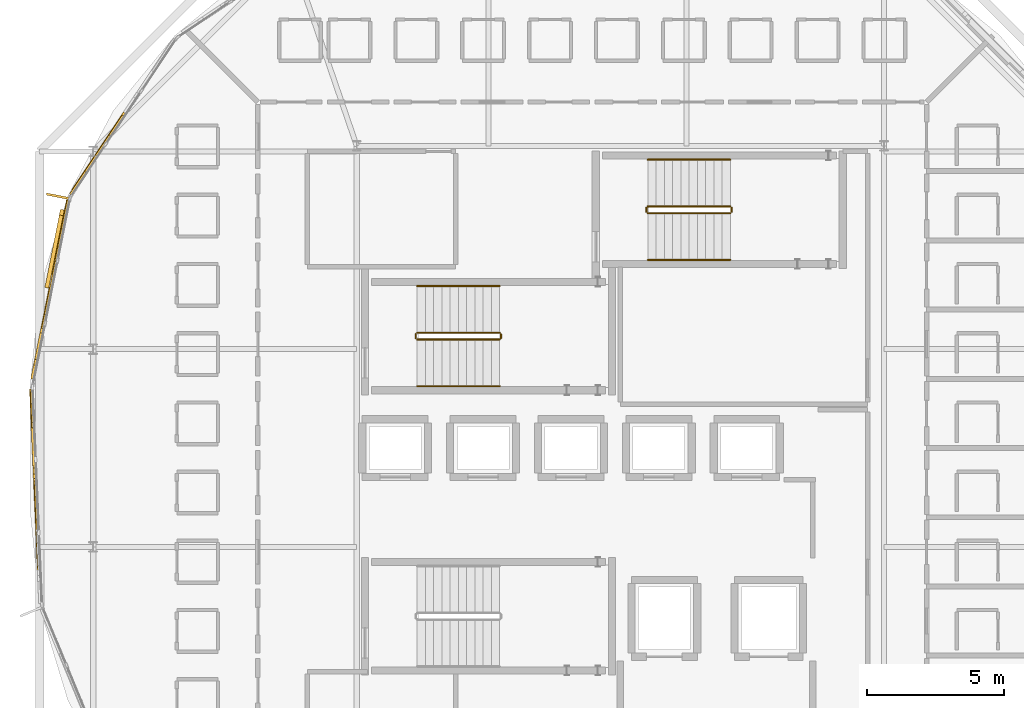
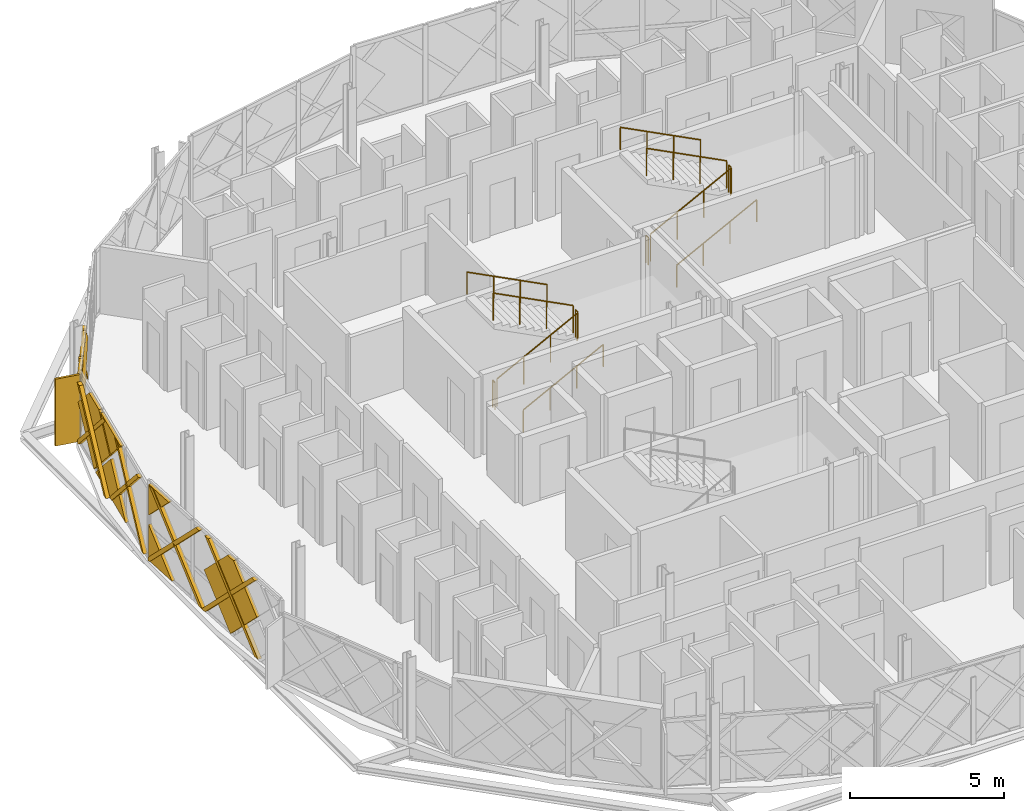
# One storey, part 22 of 24: 19 coverings, 12 railings, 1 shading device.
"""IFC4 building model written with IfcOpenShell, lengths in metres."""

from ifc_helpers import new_model, si_unit, direction, frame, origin, origin_2d, place, context, subcontext, project, spatial, polyline, rectangle, circle, outline, extrude, material, layer, layer_set, type_object, element, save


model = new_model("IFC4")

# Units and contexts
model_context = context("Model", 3, precision=1e-05, world=origin(), true_north=direction((0.0, 1.0)))
body_context = subcontext(model_context, "Body", "Model", "MODEL_VIEW")
ifc_project = project(units=[si_unit("LENGTHUNIT", "METRE"), si_unit("AREAUNIT", "SQUARE_METRE"), si_unit("VOLUMEUNIT", "CUBIC_METRE"), si_unit("PLANEANGLEUNIT", "RADIAN"), si_unit("MASSUNIT", "GRAM", prefix="KILO")], contexts=[model_context])

# Site, building, storey
site_placement = place(None, origin())
site = spatial("IfcSite", under=ifc_project, at=site_placement, CompositionType="ELEMENT")
building_placement = place(site_placement, origin())
building = spatial("IfcBuilding", under=site, at=building_placement, Name="Zevrakil Square Congress Hotel", CompositionType="ELEMENT")
storey_placement = place(building_placement, frame((0.0, 0.0, 35.10009765625)))
storey = spatial("IfcBuildingStorey", under=building, at=storey_placement, Name="L10", CompositionType="ELEMENT", Elevation=35.10009765625)

# Coverings
ifc_material_1 = material(Name="Architectural White Fibre-C GRC", Category="concrete")
ifc_layer_1 = layer(ifc_material_1, 0.06494140625)
ifc_layer_set_1 = layer_set([ifc_layer_1], Name="Architectural White Fibre-C GRC")
covering_type_1 = type_object("IfcCoveringType", Name="COV-DIA-WHITE", PredefinedType="CLADDING", material=ifc_layer_set_1)
covering_1_placement = place(storey_placement, frame((126.4453125, 37.0078125, 1.58984375), z_axis=(-0.831447623969, 0.555602731001, 0.000673721468), x_axis=(-0.393394347416, -0.587849085987, -0.706876466949)))
element("IfcCovering", 1, at=covering_1_placement, inside=storey, type_object=covering_type_1, Name="L10 45-degree white GRC diamond facade cassette 3168", PredefinedType="CLADDING", context=body_context, shape_type="SweptSolid", body=[
    extrude(outline(polyline([(0.0, 0.0), (0.2624884145950931, 2.7755575615628914e-17), (1.198721158263602, -0.9368409539727901), (-0.000726414551789567, -2.1355081109127454), (0.0, 0.0)])), origin(), (0.0, 0.0, -1.0), 0.1201171875),
])
covering_2_placement = place(storey_placement, frame((126.495361328125, 37.082763671875, 1.679931640625), z_axis=(-0.831479582102, 0.555555011025, 0.000578162904), x_axis=(0.39248044222, 0.588147541649, -0.707136176226)))
element("IfcCovering", 2, at=covering_2_placement, inside=storey, type_object=covering_type_1, Name="L10 45-degree white GRC diamond facade cassette 3169", PredefinedType="CLADDING", context=body_context, shape_type="SweptSolid", body=[
    extrude(outline(polyline([(0.0, 0.0), (2.248630358275288, 0.0), (2.2484439345611733, -2.248631622571356), (0.9899569611155397, -2.24859053439718), (3.260381687220093e-05, -1.2585834955326278), (0.0, 0.0)])), origin(), (0.0, 0.0, -1.0), 0.1201171875),
])
covering_3_placement = place(storey_placement, frame((126.4453125, 37.0078125, 1.77001953125), z_axis=(-0.831393739094, 0.555683517331, 0.000528358459), x_axis=(0.393258657054, 0.587707190793, 0.707069930447)))
element("IfcCovering", 3, at=covering_3_placement, inside=storey, type_object=covering_type_1, Name="L10 45-degree white GRC diamond facade cassette 3170", PredefinedType="CLADDING", context=body_context, shape_type="SweptSolid", body=[
    extrude(outline(polyline([(0.0, 0.0), (1.1311535756411146, 1.1102230246251565e-16), (0.43427259417798203, -0.6968085565260662), (-3.1617964112162777e-06, -0.2623924576061315), (0.0, 0.0)])), origin(), (0.0, 0.0, -1.0), 0.1201171875),
])
covering_4_placement = place(storey_placement, frame((125.616943359375, 33.44091796875, 1.58984375), z_axis=(-0.980788280172, 0.195074358725, 0.000586553491), x_axis=(-0.138339886369, -0.693414389116, -0.707134047268)))
element("IfcCovering", 4, at=covering_4_placement, inside=storey, type_object=covering_type_1, Name="L10 45-degree white GRC diamond facade cassette 3175", PredefinedType="CLADDING", context=body_context, shape_type="SweptSolid", body=[
    extrude(outline(polyline([(0.0, 0.0), (2.135393948938125, -2.220446049250313e-16), (6.252448376709019e-05, -2.1354968457710672), (0.0, 0.0)])), origin(), (0.0, 0.0, -1.0), 0.1201171875),
])
covering_5_placement = place(storey_placement, frame((125.634521484375, 33.529296875, 1.679931640625), z_axis=(-0.980788237552, 0.195074511268, 0.000606739131), x_axis=(0.137511745949, 0.693575751947, -0.707137324737)))
element("IfcCovering", 5, at=covering_5_placement, inside=storey, type_object=covering_type_1, Name="L10 45-degree white GRC diamond facade cassette 3176", PredefinedType="CLADDING", context=body_context, shape_type="SweptSolid", body=[
    extrude(outline(polyline([(0.0, 0.0), (2.2486266312430545, 0.0), (2.2485344442996014, -2.234572991459258), (2.234377886528978, -2.248728321056835), (0.7070192893966979, -2.248764939670682), (-0.00017291185751733273, -1.541511413023185), (0.0, 0.0)])), origin(), (0.0, 0.0, -1.0), 0.1201171875),
])
covering_6_placement = place(storey_placement, frame((125.6171875, 33.44091796875, 1.77001953125), z_axis=(-0.980786615214, 0.195083023539, 0.000478899714), x_axis=(0.13827803792, 0.693461770691, 0.70709967955)))
element("IfcCovering", 6, at=covering_6_placement, inside=storey, type_object=covering_type_1, Name="L10 45-degree white GRC diamond facade cassette 3177", PredefinedType="CLADDING", context=body_context, shape_type="SweptSolid", body=[
    extrude(outline(polyline([(0.0, 0.0), (1.4142277657897184, 1.1102230246251565e-16), (0.00010663045580761032, -1.4140930553790017), (0.0, 0.0)])), origin(), (0.0, 0.0, -1.0), 0.1201171875),
])
covering_7_placement = place(storey_placement, frame((124.96826171875, 28.334228515625, 0.079833984375), z_axis=(-0.999070019544, -0.043114113495, 0.000518907559), x_axis=(-0.0431141193, 0.999070154052, 0.0)))
element("IfcCovering", 7, at=covering_7_placement, inside=storey, type_object=covering_type_1, Name="L10 45-degree white GRC diamond facade cassette 3182", PredefinedType="CLADDING", context=body_context, shape_type="SweptSolid", body=[
    extrude(outline(polyline([(0.0, 0.0), (1.410002491353587, 0.0), (1.4099709136294905, -1.410156439852938), (0.0, 0.0)])), origin(), (0.0, 0.0, -1.0), 0.1201171875),
])
covering_8_placement = place(storey_placement, frame((125.18994140625, 23.218994140625, 1.679931640625), z_axis=(-0.999069236297, -0.043131058827, 0.000610613173), x_axis=(-0.030930181067, 0.706442929701, -0.707093848774)))
element("IfcCovering", 8, at=covering_8_placement, inside=storey, type_object=covering_type_1, Name="L10 45-degree white GRC diamond facade cassette 3184", PredefinedType="CLADDING", context=body_context, shape_type="SweptSolid", body=[
    extrude(outline(polyline([(0.0, 0.0), (2.2487650103116055, 0.0), (2.248786877170472, -2.2487054251349385), (0.26168571723237266, -2.2486521480379733), (7.315440598687495e-05, -1.9870489806895124), (0.0, 0.0)])), origin(), (0.0, 0.0, -1.0), 0.1201171875),
])
covering_9_placement = place(storey_placement, frame((124.908447265625, 29.742919921875, 1.869873046875), z_axis=(-0.999066180685, -0.043201775713, 0.000610890158), x_axis=(0.000602772633, 0.000200924211, 0.999999798147)))
element("IfcCovering", 9, at=covering_9_placement, inside=storey, type_object=covering_type_1, Name="L10 45-degree white GRC diamond facade cassette 3185", PredefinedType="CLADDING", context=body_context, shape_type="SweptSolid", body=[
    extrude(outline(polyline([(0.0, 0.0), (1.215088135893837, 2.710505431213761e-20), (1.2148758802637107, -1.2150015343782288), (0.0, 0.0)])), origin(), (0.0, 0.0, -1.0), 0.1201171875),
])
ifc_material_2 = material(Name="Anodised Champagne Aluminium", Category="aluminium")
ifc_layer_2 = layer(ifc_material_2, 0.0849609375)
ifc_layer_set_2 = layer_set([ifc_layer_2], Name="Anodised Champagne Aluminium")
covering_type_2 = type_object("IfcCoveringType", Name="COV-DIAGRID-45", PredefinedType="MOLDING", material=ifc_layer_set_2)
covering_10_placement = place(storey_placement, frame((128.18701171875, 39.661376953125, 0.079833984375), z_axis=(-0.831341232466, 0.55576168205, 0.000841407264), x_axis=(0.555761878969, 0.831341526621, 2.69162e-07)))
element("IfcCovering", 10, at=covering_10_placement, inside=storey, type_object=covering_type_2, Name="L10 45-degree aluminium diagrid rib 3172", PredefinedType="MOLDING", context=body_context, shape_type="SweptSolid", body=[
    extrude(outline(polyline([(0.0, 0.0), (0.21207557855529613, 0.0), (-2.2777768193900743, -2.489991728881895), (-2.490055362185268, -2.489991843102073), (0.0, 0.0)])), origin(), (0.0, 0.0, -1.0), 0.14501953125),
])
covering_11_placement = place(storey_placement, frame((127.91162109375, 39.24658203125, 2.56982421875), z_axis=(-0.83151892572, 0.555496045813, 0.0006474995), x_axis=(-0.55549616226, -0.83151910003, 0.0)))
element("IfcCovering", 11, at=covering_11_placement, inside=storey, type_object=covering_type_2, Name="L10 45-degree aluminium diagrid rib 3174", PredefinedType="MOLDING", context=body_context, shape_type="SweptSolid", body=[
    extrude(outline(polyline([(0.0, 0.0), (0.21227855363602155, -1.3552527156068805e-20), (2.7022702887750105, -2.489990756346342), (2.4899917351389886, -2.489990756346342), (0.0, 0.0)])), origin(), (0.0, 0.0, -1.0), 0.14501953125),
])
covering_12_placement = place(storey_placement, frame((126.210693359375, 36.55908203125, 0.079833984375), z_axis=(-0.980720729168, 0.195412287619, 0.000942988478), x_axis=(0.195412375128, 0.980721165085, 6.76732e-07)))
element("IfcCovering", 12, at=covering_12_placement, inside=storey, type_object=covering_type_2, Name="L10 45-degree aluminium diagrid rib 3178", PredefinedType="MOLDING", context=body_context, shape_type="SweptSolid", body=[
    extrude(outline(polyline([(0.0, 0.0), (0.08589654683551741, 0.0), (0.0858966322531195, -0.12622064700551305), (-2.477929950880439, -2.690188459451014), (-2.6900379919996973, -2.690188549751455), (0.0, 0.0)])), origin(), (0.0, 0.0, -1.0), 0.14501953125),
])
covering_13_placement = place(storey_placement, frame((125.555419921875, 33.263671875, 0.079833984375), z_axis=(-0.980779233568, 0.195119812312, 0.000594849289), x_axis=(0.195119846637, 0.980779407129, -3.35837e-07)))
element("IfcCovering", 13, at=covering_13_placement, inside=storey, type_object=covering_type_2, Name="L10 45-degree aluminium diagrid rib 3179", PredefinedType="MOLDING", context=body_context, shape_type="SweptSolid", body=[
    extrude(outline(polyline([(0.0, 0.0), (0.21206037816297113, 0.0), (-2.4779809705143876, -2.6901851906323304), (-2.6900889853586665, -2.690185048180802), (0.0, 0.0)])), origin(), (0.0, 0.0, -1.0), 0.14501953125),
])
covering_14_placement = place(storey_placement, frame((126.154296875, 36.2666015625, 2.77001953125), z_axis=(0.980669115703, -0.195673415105, 1.1281438e-05), x_axis=(-0.195673415118, -0.980669115765, 0.0)))
element("IfcCovering", 14, at=covering_14_placement, inside=storey, type_object=covering_type_2, Name="L10 45-degree aluminium diagrid rib 3180", PredefinedType="MOLDING", context=body_context, shape_type="SweptSolid", body=[
    extrude(outline(polyline([(0.0, 0.0), (0.21210804863334146, -5.293955920339377e-23), (2.902289285927077, 2.690185547046191), (2.6901812372937357, 2.690185547046191), (0.0, 0.0)])), origin(), (0.0, 0.0, -1.0), 0.14501953125),
])
covering_15_placement = place(storey_placement, frame((125.498779296875, 32.97119140625, 2.77001953125), z_axis=(-0.980779231918, 0.195119811984, 0.000597669964), x_axis=(-0.195119846635, -0.980779407129, 3.3743e-07)))
element("IfcCovering", 15, at=covering_15_placement, inside=storey, type_object=covering_type_2, Name="L10 45-degree aluminium diagrid rib 3181", PredefinedType="MOLDING", context=body_context, shape_type="SweptSolid", body=[
    extrude(outline(polyline([(0.0, 0.0), (0.21206037816297124, -6.776263578034403e-21), (2.90228793297119, -2.6901870066731663), (2.6901799181269115, -2.6901868635461565), (0.0, 0.0)])), origin(), (0.0, 0.0, -1.0), 0.14501953125),
])
covering_16_placement = place(storey_placement, frame((124.88623046875, 29.656005859375, 0.079833984375), z_axis=(-0.999054281458, -0.043479903274, 0.000201772666), x_axis=(-0.043479904122, 0.999054301796, 1.82755e-07)))
element("IfcCovering", 16, at=covering_16_placement, inside=storey, type_object=covering_type_2, Name="L10 45-degree aluminium diagrid rib 3187", PredefinedType="MOLDING", context=body_context, shape_type="SweptSolid", body=[
    extrude(outline(polyline([(0.0, 0.0), (0.08601545722512088, -1.0587911840678754e-22), (0.08601548029255274, -0.12622070055563606), (-2.792951493594179, -3.0051275302256277), (-3.0050685273626714, -3.005127580001162), (0.0, 0.0)])), origin(), (0.0, 0.0, -1.0), 0.14501953125),
])
covering_17_placement = place(storey_placement, frame((125.031005859375, 26.299072265625, 0.079833984375), z_axis=(-0.999092088768, -0.042588026825, 0.001121665276), x_axis=(-0.042588053616, 0.999092717264, 0.0)))
element("IfcCovering", 17, at=covering_17_placement, inside=storey, type_object=covering_type_2, Name="L10 45-degree aluminium diagrid rib 3188", PredefinedType="MOLDING", context=body_context, shape_type="SweptSolid", body=[
    extrude(outline(polyline([(0.0, 0.0), (0.212106503068509, 0.0), (-2.7929607618328887, -3.005128843551466), (-3.0050672649013976, -3.005128843551466), (0.0, 0.0)])), origin(), (0.0, 0.0, -1.0), 0.14501953125),
])
covering_18_placement = place(storey_placement, frame((124.88720703125, 29.673095703125, 3.0849609375), z_axis=(-0.99904230841, -0.043736875253, 0.001245692395), x_axis=(0.043736909187, -0.999043083543, 0.0)))
element("IfcCovering", 18, at=covering_18_placement, inside=storey, type_object=covering_type_2, Name="L10 45-degree aluminium diagrid rib 3190", PredefinedType="MOLDING", context=body_context, shape_type="SweptSolid", body=[
    extrude(outline(polyline([(0.0, 0.0), (0.21211704078717858, -1.6940658945086007e-21), (3.2170260256091976, -3.005129284729901), (3.004908984822019, -3.005129284729901), (0.0, 0.0)])), origin(), (0.0, 0.0, -1.0), 0.14501953125),
])
covering_19_placement = place(storey_placement, frame((125.031982421875, 26.31640625, 3.0849609375), z_axis=(-0.999068952025, -0.043137692229, 0.000607130864), x_axis=(0.043137700382, -0.999069136149, 3.33614e-07)))
element("IfcCovering", 19, at=covering_19_placement, inside=storey, type_object=covering_type_2, Name="L10 45-degree aluminium diagrid rib 3191", PredefinedType="MOLDING", context=body_context, shape_type="SweptSolid", body=[
    extrude(outline(polyline([(0.0, 0.0), (0.21236091599806017, 0.0), (3.217270603026499, -3.0051285803092083), (3.005164132056889, -3.0051284387008628), (0.0, 0.0)])), origin(), (0.0, 0.0, -1.0), 0.14501953125),
])

# Railings
ifc_material_3 = material(Name="Steel S355", Category="steel")
railing_type_1 = type_object("IfcRailingType", Name="RLG-STAIR-GUARD-1100", PredefinedType="BALUSTRADE", material=ifc_material_3)
railing_1_placement = place(storey_placement, frame((139.0, 31.550048828125, 0.154541015625)))
element("IfcRailing", 20, at=railing_1_placement, inside=storey, type_object=railing_type_1, Name="L10 ST02 stair guard 1", PredefinedType="BALUSTRADE", context=body_context, shape_type="SweptSolid", body=[
    extrude(circle(Radius=0.02392578125, at=origin_2d()), frame((0.0, 0.0, 1.076171875), z_axis=(0.888979911393, 0.0, 0.45794619459), x_axis=(0.0, 1.0, 0.0)), (0.0, 0.0, 1.0), 3.374755859375),
    extrude(circle(Radius=0.02099609375, at=origin_2d()), origin(), (0.0, 0.0, 1.0), 1.052001953125),
    extrude(circle(Radius=0.02099609375, at=origin_2d()), frame((1.0, 0.0, 0.51513671875)), (0.0, 0.0, 1.0), 1.052001953125),
    extrude(circle(Radius=0.02099609375, at=origin_2d()), frame((2.0, 0.0, 1.0302734375)), (0.0, 0.0, 1.0), 1.052001953125),
    extrude(circle(Radius=0.02099609375, at=origin_2d()), frame((3.0, 0.0, 1.54541015625)), (0.0, 0.0, 1.0), 1.052001953125),
])
railing_2_placement = place(storey_placement, frame((142.050048828125, 31.60009765625, 1.699951171875)))
element("IfcRailing", 21, at=railing_2_placement, inside=storey, type_object=railing_type_1, Name="L10 ST02 stair guard 2", PredefinedType="BALUSTRADE", context=body_context, shape_type="SweptSolid", body=[
    extrude(circle(Radius=0.02392578125, at=origin_2d()), frame((0.0, 0.0, 1.076171875), z_axis=(0.0, 1.0, 0.0), x_axis=(-1.0, 0.0, 0.0)), (0.0, 0.0, 1.0), 0.14990234375),
    extrude(circle(Radius=0.02099609375, at=origin_2d()), origin(), (0.0, 0.0, 1.0), 1.052001953125),
    extrude(circle(Radius=0.02099609375, at=origin_2d()), frame((0.0, 0.14990234375, 0.0)), (0.0, 0.0, 1.0), 1.052001953125),
])
railing_3_placement = place(storey_placement, frame((142.0, 31.800048828125, 1.8544921875)))
element("IfcRailing", 22, at=railing_3_placement, inside=storey, type_object=railing_type_1, Name="L10 ST02 stair guard 3", PredefinedType="BALUSTRADE", context=body_context, shape_type="SweptSolid", body=[
    extrude(circle(Radius=0.02392578125, at=origin_2d()), frame((0.0, 0.0, 1.076171875), z_axis=(-0.888979911393, 0.0, 0.45794619459), x_axis=(0.0, -1.0, 0.0)), (0.0, 0.0, 1.0), 3.374755859375),
    extrude(circle(Radius=0.02099609375, at=origin_2d()), origin(), (0.0, 0.0, 1.0), 1.052001953125),
    extrude(circle(Radius=0.02099609375, at=origin_2d()), frame((-1.0, 0.0, 0.51513671875)), (0.0, 0.0, 1.0), 1.052001953125),
    extrude(circle(Radius=0.02099609375, at=origin_2d()), frame((-2.0, 0.0, 1.0302734375)), (0.0, 0.0, 1.0), 1.052001953125),
    extrude(circle(Radius=0.02099609375, at=origin_2d()), frame((-3.0, 0.0, 1.54541015625)), (0.0, 0.0, 1.0), 1.052001953125),
])
railing_4_placement = place(storey_placement, frame((138.949951171875, 31.60009765625, 0.0)))
element("IfcRailing", 23, at=railing_4_placement, inside=storey, type_object=railing_type_1, Name="L10 ST02 stair guard 4", PredefinedType="BALUSTRADE", context=body_context, shape_type="SweptSolid", body=[
    extrude(circle(Radius=0.02392578125, at=origin_2d()), frame((0.0, 0.0, 1.076171875), z_axis=(0.0, 1.0, 0.0), x_axis=(-1.0, 0.0, 0.0)), (0.0, 0.0, 1.0), 0.14990234375),
    extrude(circle(Radius=0.02099609375, at=origin_2d()), origin(), (0.0, 0.0, 1.0), 1.052001953125),
    extrude(circle(Radius=0.02099609375, at=origin_2d()), frame((0.0, 0.14990234375, 0.0)), (0.0, 0.0, 1.0), 1.052001953125),
])
railing_5_placement = place(storey_placement, frame((147.39990234375, 36.14990234375, 0.154541015625)))
element("IfcRailing", 24, at=railing_5_placement, inside=storey, type_object=railing_type_1, Name="L10 ST03 stair guard 1", PredefinedType="BALUSTRADE", context=body_context, shape_type="SweptSolid", body=[
    extrude(circle(Radius=0.02392578125, at=origin_2d()), frame((0.0, 0.0, 1.076171875), z_axis=(0.888979911393, 0.0, 0.45794619459), x_axis=(0.0, 1.0, 0.0)), (0.0, 0.0, 1.0), 3.374755859375),
    extrude(circle(Radius=0.02099609375, at=origin_2d()), origin(), (0.0, 0.0, 1.0), 1.052001953125),
    extrude(circle(Radius=0.02099609375, at=origin_2d()), frame((1.0, 0.0, 0.51513671875)), (0.0, 0.0, 1.0), 1.052001953125),
    extrude(circle(Radius=0.02099609375, at=origin_2d()), frame((2.0, 0.0, 1.0302734375)), (0.0, 0.0, 1.0), 1.052001953125),
    extrude(circle(Radius=0.02099609375, at=origin_2d()), frame((3.0, 0.0, 1.54541015625)), (0.0, 0.0, 1.0), 1.052001953125),
])
railing_6_placement = place(storey_placement, frame((150.449951171875, 36.199951171875, 1.699951171875)))
element("IfcRailing", 25, at=railing_6_placement, inside=storey, type_object=railing_type_1, Name="L10 ST03 stair guard 2", PredefinedType="BALUSTRADE", context=body_context, shape_type="SweptSolid", body=[
    extrude(circle(Radius=0.02392578125, at=origin_2d()), frame((0.0, 0.0, 1.076171875), z_axis=(0.0, 1.0, 0.0), x_axis=(-1.0, 0.0, 0.0)), (0.0, 0.0, 1.0), 0.150146484375),
    extrude(circle(Radius=0.02099609375, at=origin_2d()), origin(), (0.0, 0.0, 1.0), 1.052001953125),
    extrude(circle(Radius=0.02099609375, at=origin_2d()), frame((0.0, 0.150146484375, 0.0)), (0.0, 0.0, 1.0), 1.052001953125),
])
railing_7_placement = place(storey_placement, frame((150.39990234375, 36.39990234375, 1.8544921875)))
element("IfcRailing", 26, at=railing_7_placement, inside=storey, type_object=railing_type_1, Name="L10 ST03 stair guard 3", PredefinedType="BALUSTRADE", context=body_context, shape_type="SweptSolid", body=[
    extrude(circle(Radius=0.02392578125, at=origin_2d()), frame((0.0, 0.0, 1.076171875), z_axis=(-0.888979911393, 0.0, 0.45794619459), x_axis=(0.0, -1.0, 0.0)), (0.0, 0.0, 1.0), 3.374755859375),
    extrude(circle(Radius=0.02099609375, at=origin_2d()), origin(), (0.0, 0.0, 1.0), 1.052001953125),
    extrude(circle(Radius=0.02099609375, at=origin_2d()), frame((-1.0, 0.0, 0.51513671875)), (0.0, 0.0, 1.0), 1.052001953125),
    extrude(circle(Radius=0.02099609375, at=origin_2d()), frame((-2.0, 0.0, 1.0302734375)), (0.0, 0.0, 1.0), 1.052001953125),
    extrude(circle(Radius=0.02099609375, at=origin_2d()), frame((-3.0, 0.0, 1.54541015625)), (0.0, 0.0, 1.0), 1.052001953125),
])
railing_8_placement = place(storey_placement, frame((147.35009765625, 36.199951171875, 0.0)))
element("IfcRailing", 27, at=railing_8_placement, inside=storey, type_object=railing_type_1, Name="L10 ST03 stair guard 4", PredefinedType="BALUSTRADE", context=body_context, shape_type="SweptSolid", body=[
    extrude(circle(Radius=0.02392578125, at=origin_2d()), frame((0.0, 0.0, 1.076171875), z_axis=(0.0, 1.0, 0.0), x_axis=(-1.0, 0.0, 0.0)), (0.0, 0.0, 1.0), 0.150146484375),
    extrude(circle(Radius=0.02099609375, at=origin_2d()), origin(), (0.0, 0.0, 1.0), 1.052001953125),
    extrude(circle(Radius=0.02099609375, at=origin_2d()), frame((0.0, 0.150146484375, 0.0)), (0.0, 0.0, 1.0), 1.052001953125),
])
ifc_material_4 = material(Name="Steel S355", Category="steel")
railing_type_2 = type_object("IfcRailingType", Name="RLG-STAIR-HAND-900", PredefinedType="HANDRAIL", material=ifc_material_4)
railing_9_placement = place(storey_placement, frame((139.0, 29.85009765625, 0.154541015625)))
element("IfcRailing", 28, at=railing_9_placement, inside=storey, type_object=railing_type_2, Name="L10 ST02 stair handrail 1", PredefinedType="HANDRAIL", context=body_context, shape_type="SweptSolid", body=[
    extrude(circle(Radius=0.02392578125, at=origin_2d()), frame((0.0, 0.0, 0.8759765625), z_axis=(0.888979911393, 0.0, 0.45794619459), x_axis=(0.0, 1.0, 0.0)), (0.0, 0.0, 1.0), 3.374755859375),
    extrude(circle(Radius=0.02099609375, at=origin_2d()), origin(), (0.0, 0.0, 1.0), 0.851806640625),
    extrude(circle(Radius=0.02099609375, at=origin_2d()), frame((1.0, 0.0, 0.51513671875)), (0.0, 0.0, 1.0), 0.851806640625),
    extrude(circle(Radius=0.02099609375, at=origin_2d()), frame((2.0, 0.0, 1.0302734375)), (0.0, 0.0, 1.0), 0.851806640625),
    extrude(circle(Radius=0.02099609375, at=origin_2d()), frame((3.0, 0.0, 1.54541015625)), (0.0, 0.0, 1.0), 0.851806640625),
])
railing_10_placement = place(storey_placement, frame((142.0, 33.5, 1.8544921875)))
element("IfcRailing", 29, at=railing_10_placement, inside=storey, type_object=railing_type_2, Name="L10 ST02 stair handrail 2", PredefinedType="HANDRAIL", context=body_context, shape_type="SweptSolid", body=[
    extrude(circle(Radius=0.02392578125, at=origin_2d()), frame((0.0, 0.0, 0.8759765625), z_axis=(-0.888979911393, 0.0, 0.45794619459), x_axis=(0.0, -1.0, 0.0)), (0.0, 0.0, 1.0), 3.374755859375),
    extrude(circle(Radius=0.02099609375, at=origin_2d()), origin(), (0.0, 0.0, 1.0), 0.851806640625),
    extrude(circle(Radius=0.02099609375, at=origin_2d()), frame((-1.0, 0.0, 0.51513671875)), (0.0, 0.0, 1.0), 0.851806640625),
    extrude(circle(Radius=0.02099609375, at=origin_2d()), frame((-2.0, 0.0, 1.0302734375)), (0.0, 0.0, 1.0), 0.851806640625),
    extrude(circle(Radius=0.02099609375, at=origin_2d()), frame((-3.0, 0.0, 1.54541015625)), (0.0, 0.0, 1.0), 0.851806640625),
])
railing_11_placement = place(storey_placement, frame((147.39990234375, 34.449951171875, 0.154541015625)))
element("IfcRailing", 30, at=railing_11_placement, inside=storey, type_object=railing_type_2, Name="L10 ST03 stair handrail 1", PredefinedType="HANDRAIL", context=body_context, shape_type="SweptSolid", body=[
    extrude(circle(Radius=0.02392578125, at=origin_2d()), frame((0.0, 0.0, 0.8759765625), z_axis=(0.888979911393, 0.0, 0.45794619459), x_axis=(0.0, 1.0, 0.0)), (0.0, 0.0, 1.0), 3.374755859375),
    extrude(circle(Radius=0.02099609375, at=origin_2d()), origin(), (0.0, 0.0, 1.0), 0.851806640625),
    extrude(circle(Radius=0.02099609375, at=origin_2d()), frame((1.0, 0.0, 0.51513671875)), (0.0, 0.0, 1.0), 0.851806640625),
    extrude(circle(Radius=0.02099609375, at=origin_2d()), frame((2.0, 0.0, 1.0302734375)), (0.0, 0.0, 1.0), 0.851806640625),
    extrude(circle(Radius=0.02099609375, at=origin_2d()), frame((3.0, 0.0, 1.54541015625)), (0.0, 0.0, 1.0), 0.851806640625),
])
railing_12_placement = place(storey_placement, frame((150.39990234375, 38.10009765625, 1.8544921875)))
element("IfcRailing", 31, at=railing_12_placement, inside=storey, type_object=railing_type_2, Name="L10 ST03 stair handrail 2", PredefinedType="HANDRAIL", context=body_context, shape_type="SweptSolid", body=[
    extrude(circle(Radius=0.02392578125, at=origin_2d()), frame((0.0, 0.0, 0.8759765625), z_axis=(-0.888979911393, 0.0, 0.45794619459), x_axis=(0.0, -1.0, 0.0)), (0.0, 0.0, 1.0), 3.374755859375),
    extrude(circle(Radius=0.02099609375, at=origin_2d()), origin(), (0.0, 0.0, 1.0), 0.851806640625),
    extrude(circle(Radius=0.02099609375, at=origin_2d()), frame((-1.0, 0.0, 0.51513671875)), (0.0, 0.0, 1.0), 0.851806640625),
    extrude(circle(Radius=0.02099609375, at=origin_2d()), frame((-2.0, 0.0, 1.0302734375)), (0.0, 0.0, 1.0), 0.851806640625),
    extrude(circle(Radius=0.02099609375, at=origin_2d()), frame((-3.0, 0.0, 1.54541015625)), (0.0, 0.0, 1.0), 0.851806640625),
])

# Shading device
ifc_material_5 = material(Name="Aluminium Anodised Bronze", Category="aluminium")
shading_device_type = type_object("IfcShadingDeviceType", Name="SHD-FIN-85", PredefinedType="USERDEFINED", material=ifc_material_5)
shading_device_placement = place(storey_placement, frame((125.92041015625, 36.765625, 0.099853515625), z_axis=(0.0, 0.0, 1.0), x_axis=(-0.980785280403, 0.195090322016, 0.0)))
element("IfcShadingDevice", 32, at=shading_device_placement, inside=storey, type_object=shading_device_type, Name="L10 aluminium solar shading fin 176", ObjectType="SOLAR FIN", PredefinedType="USERDEFINED", context=body_context, shape_type="SweptSolid", body=[
    extrude(rectangle(XDim=0.85009765625, YDim=0.080078125, at=origin_2d()), origin(), (0.0, 0.0, 1.0), 2.64990234375),
])

save(model, "model.ifc")
